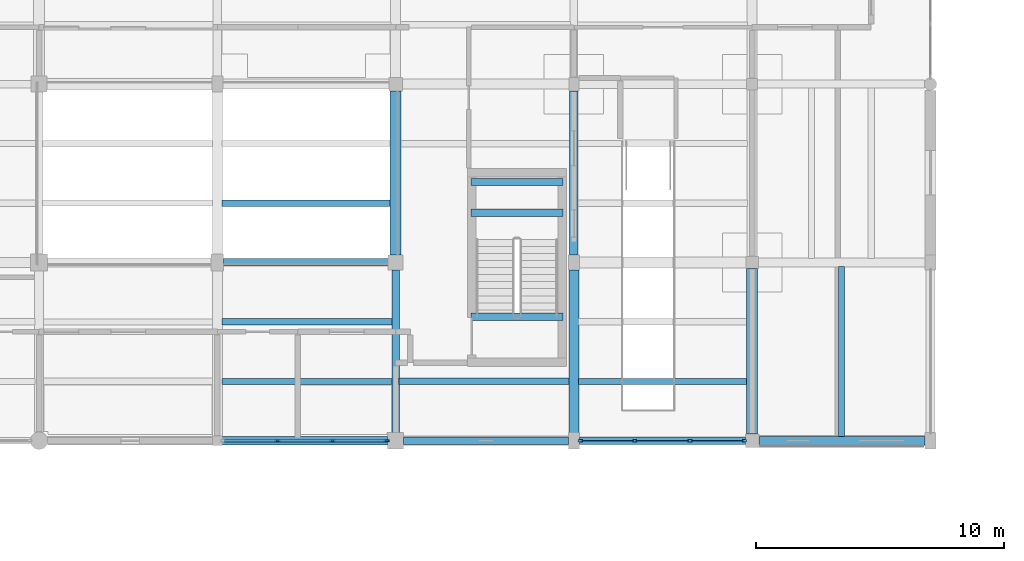
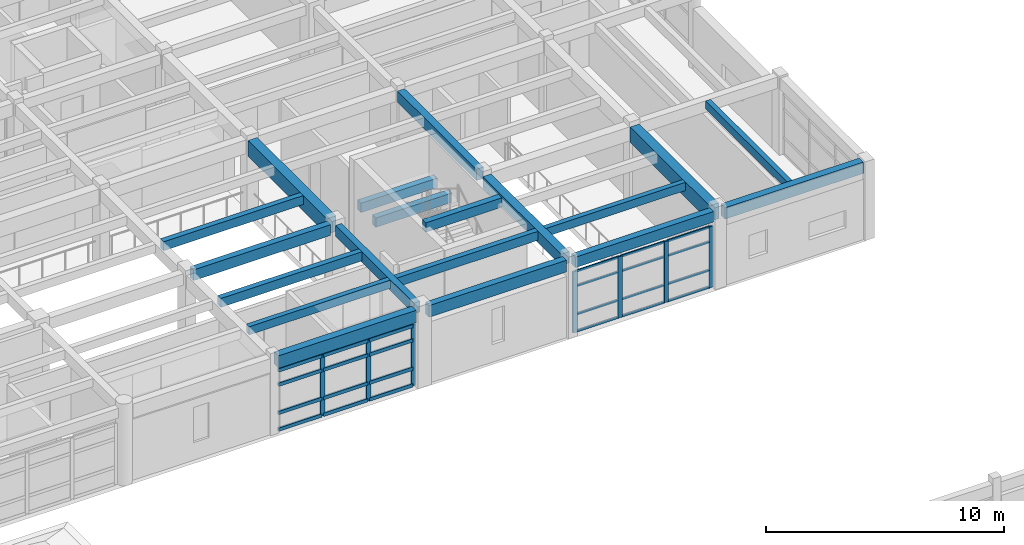
# One storey, part 47 of 110: 31 members, 19 beams, 2 elements without a shape of their own.
"""IFC4 building model written with IfcOpenShell, lengths in metres."""

import ifcopenshell
import ifcopenshell.guid

model = None  # the IFC model being written
_history = None  # IfcOwnerHistory: only IFC2X3 demands one
_inside = {}  # id of a spatial element -> (the spatial element, [elements in it])
_under = {}  # id of a project, library or spatial element -> (it, [spatial elements below it])
_declared = {}  # id of a project -> (the project, [libraries it declares])
_typed = {}  # id of a type object -> (the type object, [elements of that type])
_made_of = {}  # id of a material, layer set ... -> (it, [elements and type objects made of it])


def new_model(schema):
    """Start an empty IFC model of exactly this schema.

    Asked for "IFC4X3", IfcOpenShell would pick the latest addendum, in which some entities
    have other attributes; the version numbers below select the first issue.
    IFC2X3 requires an IfcOwnerHistory on every rooted entity: one is made here for all.
    """
    global model, _history
    if schema == "IFC4X3":
        model = ifcopenshell.file(schema_version=(4, 3, 0, 0))
    else:
        model = ifcopenshell.file(schema=schema)
    _inside.clear()
    _under.clear()
    _declared.clear()
    _typed.clear()
    _made_of.clear()
    _history = None
    if model.schema == "IFC2X3":
        org = make("IfcOrganization", Name="unknown")
        user = make(
            "IfcPersonAndOrganization",
            ThePerson=make("IfcPerson", FamilyName="unknown"),
            TheOrganization=org,
        )
        app = make(
            "IfcApplication",
            ApplicationDeveloper=org,
            Version="unknown",
            ApplicationFullName="unknown",
            ApplicationIdentifier="unknown",
        )
        _history = make(
            "IfcOwnerHistory",
            OwningUser=user,
            OwningApplication=app,
            ChangeAction="ADDED",
            CreationDate=0,
        )
    return model


def make(cls, **values):
    """One entity of the class cls with the attributes given. An attribute that is None is left unset."""
    return model.create_entity(
        cls, **{name: value for name, value in values.items() if value is not None}
    )


def rooted(cls, **values):
    """An entity with a GlobalId (a new one), such as an element, a storey or a relation."""
    return make(cls, GlobalId=ifcopenshell.guid.new(), OwnerHistory=_history, **values)


def si_unit(unit_type, name, prefix=None):
    """IfcSIUnit, for example si_unit("LENGTHUNIT", "METRE", prefix="MILLI")."""
    return make("IfcSIUnit", UnitType=unit_type, Prefix=prefix, Name=name)


def assignment(units):
    """IfcUnitAssignment: the units of a project."""
    return None if units is None else make("IfcUnitAssignment", Units=units)


def point(xyz):
    """IfcCartesianPoint."""
    return None if xyz is None else make("IfcCartesianPoint", Coordinates=xyz)


def direction(xyz):
    """IfcDirection."""
    return None if xyz is None else make("IfcDirection", DirectionRatios=xyz)


def frame(location, z_axis=None, x_axis=None):
    """IfcAxis2Placement3D, a coordinate frame: its origin and axes. An axis left out is left unset."""
    return make(
        "IfcAxis2Placement3D",
        Location=point(location),
        Axis=direction(z_axis),
        RefDirection=direction(x_axis),
    )


def frame_2d(location, x_axis=None):
    """IfcAxis2Placement2D, a coordinate frame in the plane: its origin and x axis."""
    return make(
        "IfcAxis2Placement2D", Location=point(location), RefDirection=direction(x_axis)
    )


def origin():
    """The frame at (0, 0, 0) with its axes left unset."""
    return frame((0.0, 0.0, 0.0))


def origin_2d():
    """The frame at (0, 0) in the plane with its x axis left unset."""
    return frame_2d((0.0, 0.0))


def place(relative_to, where):
    """IfcLocalPlacement: puts the frame where relative to a parent placement (None: the world)."""
    return make(
        "IfcLocalPlacement", PlacementRelTo=relative_to, RelativePlacement=where
    )


def context(
    kind, dimensions, precision=None, world=None, true_north=None, identifier=None
):
    """IfcGeometricRepresentationContext, for example the 3D "Model" context."""
    return make(
        "IfcGeometricRepresentationContext",
        ContextIdentifier=identifier,
        ContextType=kind,
        CoordinateSpaceDimension=dimensions,
        Precision=precision,
        WorldCoordinateSystem=world,
        TrueNorth=true_north,
    )


def subcontext(parent, identifier, kind, view, scale=None):
    """IfcGeometricRepresentationSubContext, for example "Body" below "Model"."""
    return make(
        "IfcGeometricRepresentationSubContext",
        ContextIdentifier=identifier,
        ContextType=kind,
        ParentContext=parent,
        TargetScale=scale,
        TargetView=view,
    )


def project(units=None, contexts=None):
    """IfcProject with its units and contexts."""
    return rooted(
        "IfcProject",
        Name="project",
        RepresentationContexts=contexts,
        UnitsInContext=assignment(units),
    )


def spatial(cls, under=None, at=None, **own):
    """A site, building, storey or space (cls), placed at a placement, below another one or the project."""
    s = rooted(cls, ObjectPlacement=at, **own)
    if under is not None:
        _under.setdefault(under.id(), (under, []))[1].append(s)
    return s


def profile(cls, at=None, kind="AREA", **sizes):
    """A parametric profile (cls). Its sizes go by their IFC names, for example OverallWidth=200.0."""
    return make(cls, ProfileType=kind, Position=at, **sizes)


def rectangle(**sizes):
    """IfcRectangleProfileDef."""
    return profile("IfcRectangleProfileDef", **sizes)


def extrude(swept, where, along, depth):
    """IfcExtrudedAreaSolid: the profile swept, set in the frame where, extruded along a direction by depth."""
    return make(
        "IfcExtrudedAreaSolid",
        SweptArea=swept,
        Position=where,
        ExtrudedDirection=direction(along),
        Depth=depth,
    )


def shape(context_of_items, identifier, shape_type, items):
    """IfcShapeRepresentation: the items that make up one representation, for example the "Body"."""
    return make(
        "IfcShapeRepresentation",
        ContextOfItems=context_of_items,
        RepresentationIdentifier=identifier,
        RepresentationType=shape_type,
        Items=items,
    )


def material(Name=None, Category=None):
    """IfcMaterial."""
    return make("IfcMaterial", Name=Name, Category=Category)


def material_profile(
    of_material, cross_section, Name=None, Category=None, Priority=None
):
    """IfcMaterialProfile: a cross section and its material."""
    return make(
        "IfcMaterialProfile",
        Name=Name,
        Material=of_material,
        Profile=cross_section,
        Priority=Priority,
        Category=Category,
    )


def profile_set(profiles, Name=None, composite=None):
    """IfcMaterialProfileSet."""
    return make(
        "IfcMaterialProfileSet",
        Name=Name,
        MaterialProfiles=profiles,
        CompositeProfile=composite,
    )


def made_of(thing, what):
    """Note that an element or type object is made of a material, layer set ...; save() writes the relation."""
    if what is not None:
        _made_of.setdefault(what.id(), (what, []))[1].append(thing)
    return thing


def type_object(cls, material=None, **own):
    """A type object (cls), such as IfcWallType, which elements share."""
    return made_of(rooted(cls, **own), material)


def element(
    cls,
    number,
    at=None,
    inside=None,
    cuts=None,
    type_object=None,
    material=None,
    context=None,
    identifier="Body",
    shape_type=None,
    held_by="IfcProductDefinitionShape",
    body=None,
    shapes=None,
    **own,
):
    """One element of the class cls, such as IfcWall. Its Tag is "e" and its number.

    at: its placement. inside: the storey or other place that contains it. cuts: it is an
    opening in that element (IfcRelVoidsElement). A single representation is given by context,
    identifier, shape_type and body (its items); several are given by shapes. held_by: the class
    of the entity that holds the representations. save() writes the other relations.
    """
    e = rooted(cls, Tag="e%d" % number, ObjectPlacement=at, **own)
    if body is not None:
        shapes = [shape(context, identifier, shape_type, body)]
    if shapes is not None:
        e.Representation = make(held_by, Representations=shapes)
    if inside is not None:
        _inside.setdefault(inside.id(), (inside, []))[1].append(e)
    if cuts is not None:
        rooted(
            "IfcRelVoidsElement", RelatingBuildingElement=cuts, RelatedOpeningElement=e
        )
    if type_object is not None:
        _typed.setdefault(type_object.id(), (type_object, []))[1].append(e)
    return made_of(e, material)


def aggregate(whole, parts):
    """IfcRelAggregates: a whole, such as a stair, and the parts it consists of."""
    return rooted("IfcRelAggregates", RelatingObject=whole, RelatedObjects=parts)


def save(model, path):
    """Write the relations noted so far, then the file.

    IfcRelAggregates (storeys below a building ...), IfcRelContainedInSpatialStructure (elements
    in a storey), IfcRelDefinesByType, IfcRelAssociatesMaterial and IfcRelDeclares: one each for
    every whole, place, type object, material and project.
    """
    for whole, parts in _under.values():
        aggregate(whole, parts)
    for where, things in _inside.values():
        rooted(
            "IfcRelContainedInSpatialStructure",
            RelatedElements=things,
            RelatingStructure=where,
        )
    for kind, things in _typed.values():
        rooted("IfcRelDefinesByType", RelatedObjects=things, RelatingType=kind)
    for what, things in _made_of.values():
        rooted("IfcRelAssociatesMaterial", RelatedObjects=things, RelatingMaterial=what)
    for by, libraries in _declared.values():
        rooted("IfcRelDeclares", RelatingContext=by, RelatedDefinitions=libraries)
    model.write(path)


model = new_model("IFC4")

# Units and contexts
model_context = context("Model", 3, precision=1e-05, world=origin(), true_north=direction((0.0, 1.0)))
body_context = subcontext(model_context, "Body", "Model", "MODEL_VIEW")
ifc_project = project(units=[si_unit("LENGTHUNIT", "METRE"), si_unit("AREAUNIT", "SQUARE_METRE"), si_unit("VOLUMEUNIT", "CUBIC_METRE"), si_unit("PLANEANGLEUNIT", "RADIAN"), si_unit("MASSUNIT", "GRAM", prefix="KILO")], contexts=[model_context])

# Site, building, storey
site_placement = place(None, origin())
site = spatial("IfcSite", under=ifc_project, at=site_placement, CompositionType="ELEMENT")
building_placement = place(site_placement, origin())
building = spatial("IfcBuilding", under=site, at=building_placement, Name="Steenspoor Specialist Clinic", CompositionType="ELEMENT")
storey_placement = place(building_placement, frame((0.0, 0.0, 4.800048828125)))
storey = spatial("IfcBuildingStorey", under=building, at=storey_placement, Name="L01", CompositionType="ELEMENT", Elevation=4.800048828125)

# Beams
ifc_material_1 = material(Name="Concrete C35/45", Category="concrete")
ifc_material_profile_1 = material_profile(ifc_material_1, rectangle(XDim=0.300048828125, YDim=0.47998046875, at=origin_2d()), Name="RC-BM-300X480")
ifc_profile_set_1 = profile_set([ifc_material_profile_1], Name="Concrete C35/45")
beam_type_1 = type_object("IfcBeamType", Name="BM-RC-300X480", PredefinedType="BEAM", material=ifc_profile_set_1)
for number, where, z_axis, x_axis, name in (
    (1, (142.64990234375, 74.35009765625, 1.659912109375), (1.0, 0.0, 0.0), (0.0, 1.0, 0.0), "Stair Mid-Landing Bearer 1 ST-V6B L01"),
    (2, (142.64990234375, 75.60009765625, 1.659912109375), (1.0, 0.0, 0.0), (0.0, 1.0, 0.0), "Stair Mid-Landing Bearer 2 ST-V6B L01"),
    (3, (142.64990234375, 70.14990234375, 3.9599609375), (1.0, 0.0, 0.0), (0.0, 1.0, 0.0), "Stair Well Trimmer Beam ST-V6B L01"),
):
    element("IfcBeam", number, at=place(storey_placement, frame(where, z_axis=z_axis, x_axis=x_axis)), inside=storey, type_object=beam_type_1, Name=name, PredefinedType="BEAM", context=body_context, shape_type="SweptSolid", body=[
        extrude(rectangle(XDim=0.300048828125, YDim=0.47998046875, at=origin_2d()), origin(), (0.0, 0.0, 1.0), 3.7001953125),
    ])
ifc_material_profile_2 = material_profile(ifc_material_1, rectangle(XDim=0.300048828125, YDim=0.550048828125, at=origin_2d()), Name="RC-BM-300X550")
ifc_profile_set_2 = profile_set([ifc_material_profile_2], Name="Concrete C35/45")
beam_type_2 = type_object("IfcBeamType", Name="BM-RC-300X550", PredefinedType="BEAM", material=ifc_profile_set_2)
beam_1_placement = place(storey_placement, frame((132.64501953125, 72.35009765625, 3.675048828125), z_axis=(1.0, 0.0, 0.0), x_axis=(0.0, 1.0, 0.0)))
element("IfcBeam", 4, at=beam_1_placement, inside=storey, type_object=beam_type_2, Name="BM-V6-L01-X1486", PredefinedType="BEAM", context=body_context, shape_type="SweptSolid", body=[
    extrude(rectangle(XDim=0.300048828125, YDim=0.550048828125, at=origin_2d()), origin(), (0.0, 0.0, 1.0), 6.659912109375),
])
beam_2_placement = place(storey_placement, frame((139.60009765625, 65.469970703125, 3.675048828125), z_axis=(0.0, 1.0, 0.0), x_axis=(-1.0, 0.0, 0.0)))
element("IfcBeam", 5, at=beam_2_placement, inside=storey, type_object=beam_type_2, Name="BM-V6-L01-Y1528", PredefinedType="BEAM", context=body_context, shape_type="SweptSolid", body=[
    extrude(rectangle(XDim=0.300048828125, YDim=0.550048828125, at=origin_2d()), origin(), (0.0, 0.0, 1.0), 6.5849609375),
])
ifc_material_profile_3 = material_profile(ifc_material_1, rectangle(XDim=0.35009765625, YDim=0.580078125, at=origin_2d()), Name="RC-BM-350X580")
ifc_profile_set_3 = profile_set([ifc_material_profile_3], Name="Concrete C35/45")
beam_type_3 = type_object("IfcBeamType", Name="BM-RC-350X580", PredefinedType="BEAM", material=ifc_profile_set_3)
beam_3_placement = place(storey_placement, frame((146.800048828125, 72.64501953125, 3.659912109375), z_axis=(0.0, 1.0, 0.0), x_axis=(-1.0, 0.0, 0.0)))
element("IfcBeam", 6, at=beam_3_placement, inside=storey, type_object=beam_type_3, Name="BM-V6-L01-Y1535", PredefinedType="BEAM", context=body_context, shape_type="SweptSolid", body=[
    extrude(rectangle(XDim=0.35009765625, YDim=0.580078125, at=origin_2d()), origin(), (0.0, 0.0, 1.0), 6.635009765625),
])
beam_4_placement = place(storey_placement, frame((154.27001953125, 65.14990234375, 3.659912109375), z_axis=(1.0, 0.0, 0.0), x_axis=(0.0, 1.0, 0.0)))
element("IfcBeam", 7, at=beam_4_placement, inside=storey, type_object=beam_type_3, Name="BM-V6-L01-X1595", PredefinedType="BEAM", context=body_context, shape_type="SweptSolid", body=[
    extrude(rectangle(XDim=0.35009765625, YDim=0.580078125, at=origin_2d()), origin(), (0.0, 0.0, 1.0), 6.7099609375),
])
ifc_material_profile_4 = material_profile(ifc_material_1, rectangle(XDim=0.39990234375, YDim=0.580078125, at=origin_2d()), Name="RC-BM-400X580")
ifc_profile_set_4 = profile_set([ifc_material_profile_4], Name="Concrete C35/45")
beam_type_4 = type_object("IfcBeamType", Name="BM-RC-400X580", PredefinedType="BEAM", material=ifc_profile_set_4)
beam_5_placement = place(storey_placement, frame((146.800048828125, 65.469970703125, 3.659912109375), z_axis=(0.0, 1.0, 0.0), x_axis=(-1.0, 0.0, 0.0)))
element("IfcBeam", 8, at=beam_5_placement, inside=storey, type_object=beam_type_4, Name="BM-V6-L01-Y1534", PredefinedType="BEAM", context=body_context, shape_type="SweptSolid", body=[
    extrude(rectangle(XDim=0.39990234375, YDim=0.580078125, at=origin_2d()), origin(), (0.0, 0.0, 1.0), 6.5849609375),
])
ifc_material_profile_5 = material_profile(ifc_material_1, rectangle(XDim=0.449951171875, YDim=0.800048828125, at=origin_2d()), Name="RC-BM-450X800")
ifc_profile_set_5 = profile_set([ifc_material_profile_5], Name="Concrete C35/45")
beam_type_5 = type_object("IfcBeamType", Name="BM-RC-450X800", PredefinedType="BEAM", material=ifc_profile_set_5)
beam_6_placement = place(storey_placement, frame((139.60009765625, 72.64501953125, 3.550048828125), z_axis=(0.0, 1.0, 0.0), x_axis=(-1.0, 0.0, 0.0)))
element("IfcBeam", 9, at=beam_6_placement, inside=storey, type_object=beam_type_5, Name="BM-V6-L01-Y1529", PredefinedType="BEAM", context=body_context, shape_type="SweptSolid", body=[
    extrude(rectangle(XDim=0.449951171875, YDim=0.800048828125, at=origin_2d()), origin(), (0.0, 0.0, 1.0), 6.635009765625),
])
beam_7_placement = place(storey_placement, frame((154.0, 65.419921875, 3.550048828125), z_axis=(0.0, 1.0, 0.0), x_axis=(-1.0, 0.0, 0.0)))
element("IfcBeam", 10, at=beam_7_placement, inside=storey, type_object=beam_type_5, Name="BM-V6-L01-Y1540", PredefinedType="BEAM", context=body_context, shape_type="SweptSolid", body=[
    extrude(rectangle(XDim=0.449951171875, YDim=0.800048828125, at=origin_2d()), origin(), (0.0, 0.0, 1.0), 6.68505859375),
])

# Curtain wall, members
ifc_material_2 = material(Name="Thermally broken aluminium and low-emissivity glass", Category="aluminium")
curtain_wall_type_1 = type_object("IfcCurtainWallType", Name="CW-L00-480X415", PredefinedType="USERDEFINED", material=ifc_material_2)
curtain_wall_1_placement = place(storey_placement, origin())
curtain_wall_1 = element("IfcCurtainWall", 11, at=curtain_wall_1_placement, inside=storey, type_object=curtain_wall_type_1, Name="Unitised Curtain Wall CW-V6-L01-174", ObjectType="UNITISED GLAZING", PredefinedType="USERDEFINED")
ifc_material_3 = material(Name="Thermally broken aluminium 6063-T6", Category="aluminium")
ifc_material_profile_6 = material_profile(ifc_material_3, rectangle(XDim=0.080078125, YDim=0.219970703125, at=origin_2d()), Name="CWM-80X220")
ifc_profile_set_6 = profile_set([ifc_material_profile_6], Name="Thermally broken aluminium 6063-T6")
member_type_1 = type_object("IfcMemberType", Name="CW-MULL-80X220", PredefinedType="MULLION", material=ifc_profile_set_6)
member_1_placement = place(storey_placement, frame((139.235107421875, 65.14990234375, 0.0), z_axis=(0.0, 0.0, 1.0), x_axis=(0.0, -1.0, 0.0)))
member_1 = element("IfcMember", 12, at=member_1_placement, type_object=member_type_1, Name="CW-06 mullion 1", PredefinedType="MULLION", context=body_context, shape_type="SweptSolid", body=[
    extrude(rectangle(XDim=0.080078125, YDim=0.219970703125, at=origin_2d()), origin(), (0.0, 0.0, 1.0), 3.1298828125),
])
member_2_placement = place(storey_placement, frame((137.050048828125, 65.14990234375, 0.0), z_axis=(0.0, 0.0, 1.0), x_axis=(0.0, -1.0, 0.0)))
member_2 = element("IfcMember", 13, at=member_2_placement, type_object=member_type_1, Name="CW-06 mullion 2", PredefinedType="MULLION", context=body_context, shape_type="SweptSolid", body=[
    extrude(rectangle(XDim=0.080078125, YDim=0.219970703125, at=origin_2d()), origin(), (0.0, 0.0, 1.0), 3.1298828125),
])
member_3_placement = place(storey_placement, frame((134.824951171875, 65.14990234375, 0.0), z_axis=(0.0, 0.0, 1.0), x_axis=(0.0, -1.0, 0.0)))
member_3 = element("IfcMember", 14, at=member_3_placement, type_object=member_type_1, Name="CW-06 mullion 3", PredefinedType="MULLION", context=body_context, shape_type="SweptSolid", body=[
    extrude(rectangle(XDim=0.080078125, YDim=0.219970703125, at=origin_2d()), origin(), (0.0, 0.0, 1.0), 3.1298828125),
])

curtain_wall_type_2 = type_object("IfcCurtainWallType", Name="CW-L00-650X415", PredefinedType="USERDEFINED", material=ifc_material_2)
curtain_wall_2_placement = place(storey_placement, origin())
curtain_wall_2 = element("IfcCurtainWall", 15, at=curtain_wall_2_placement, inside=storey, type_object=curtain_wall_type_2, Name="Unitised Curtain Wall CW-V6-L01-173", ObjectType="UNITISED GLAZING", PredefinedType="USERDEFINED")
ifc_material_profile_7 = material_profile(ifc_material_3, rectangle(XDim=0.090087890625, YDim=0.199951171875, at=origin_2d()), Name="CWM-90X200")
ifc_profile_set_7 = profile_set([ifc_material_profile_7], Name="Thermally broken aluminium 6063-T6")
member_type_2 = type_object("IfcMemberType", Name="CW-MULL-90X200", PredefinedType="MULLION", material=ifc_profile_set_7)
member_4_placement = place(storey_placement, frame((153.679931640625, 65.14990234375, 0.0), z_axis=(0.0, 0.0, 1.0), x_axis=(0.0, -1.0, 0.0)))
member_4 = element("IfcMember", 16, at=member_4_placement, type_object=member_type_2, Name="CW-05 mullion 1", PredefinedType="MULLION", context=body_context, shape_type="SweptSolid", body=[
    extrude(rectangle(XDim=0.090087890625, YDim=0.199951171875, at=origin_2d()), origin(), (0.0, 0.0, 1.0), 3.1298828125),
])
member_5_placement = place(storey_placement, frame((151.49169921875, 65.14990234375, 0.0), z_axis=(0.0, 0.0, 1.0), x_axis=(0.0, -1.0, 0.0)))
member_5 = element("IfcMember", 17, at=member_5_placement, type_object=member_type_2, Name="CW-05 mullion 2", PredefinedType="MULLION", context=body_context, shape_type="SweptSolid", body=[
    extrude(rectangle(XDim=0.090087890625, YDim=0.199951171875, at=origin_2d()), origin(), (0.0, 0.0, 1.0), 3.1298828125),
])
member_6_placement = place(storey_placement, frame((149.25830078125, 65.14990234375, 0.0), z_axis=(0.0, 0.0, 1.0), x_axis=(0.0, -1.0, 0.0)))
member_6 = element("IfcMember", 18, at=member_6_placement, type_object=member_type_2, Name="CW-05 mullion 3", PredefinedType="MULLION", context=body_context, shape_type="SweptSolid", body=[
    extrude(rectangle(XDim=0.090087890625, YDim=0.199951171875, at=origin_2d()), origin(), (0.0, 0.0, 1.0), 3.1298828125),
])
member_7_placement = place(storey_placement, frame((147.070068359375, 65.14990234375, 0.0), z_axis=(0.0, 0.0, 1.0), x_axis=(0.0, -1.0, 0.0)))
member_7 = element("IfcMember", 19, at=member_7_placement, type_object=member_type_2, Name="CW-05 mullion 4", PredefinedType="MULLION", context=body_context, shape_type="SweptSolid", body=[
    extrude(rectangle(XDim=0.090087890625, YDim=0.199951171875, at=origin_2d()), origin(), (0.0, 0.0, 1.0), 3.1298828125),
])
ifc_material_profile_8 = material_profile(ifc_material_3, rectangle(XDim=0.06005859375, YDim=0.114990234375, at=origin_2d()), Name="CWT-60X115")
ifc_profile_set_8 = profile_set([ifc_material_profile_8], Name="Thermally broken aluminium 6063-T6")
member_type_3 = type_object("IfcMemberType", Name="CW-TRAN-60X115", PredefinedType="USERDEFINED", material=ifc_profile_set_8)
member_8_placement = place(storey_placement, frame((153.635009765625, 65.14990234375, 0.030029296875), z_axis=(-1.0, 0.0, 0.0), x_axis=(0.0, -1.0, 0.0)))
member_8 = element("IfcMember", 20, at=member_8_placement, type_object=member_type_3, Name="CW-05 transom 1.1", ObjectType="TRANSOM", PredefinedType="USERDEFINED", context=body_context, shape_type="SweptSolid", body=[
    extrude(rectangle(XDim=0.06005859375, YDim=0.114990234375, at=origin_2d()), origin(), (0.0, 0.0, 1.0), 2.098388671875),
])
member_9_placement = place(storey_placement, frame((153.635009765625, 65.14990234375, 0.89990234375), z_axis=(-1.0, 0.0, 0.0), x_axis=(0.0, -1.0, 0.0)))
member_9 = element("IfcMember", 21, at=member_9_placement, type_object=member_type_3, Name="CW-05 transom 1.2", ObjectType="TRANSOM", PredefinedType="USERDEFINED", context=body_context, shape_type="SweptSolid", body=[
    extrude(rectangle(XDim=0.06005859375, YDim=0.114990234375, at=origin_2d()), origin(), (0.0, 0.0, 1.0), 2.098388671875),
])
member_10_placement = place(storey_placement, frame((153.635009765625, 65.14990234375, 2.349853515625), z_axis=(-1.0, 0.0, 0.0), x_axis=(0.0, -1.0, 0.0)))
member_10 = element("IfcMember", 22, at=member_10_placement, type_object=member_type_3, Name="CW-05 transom 1.3", ObjectType="TRANSOM", PredefinedType="USERDEFINED", context=body_context, shape_type="SweptSolid", body=[
    extrude(rectangle(XDim=0.06005859375, YDim=0.114990234375, at=origin_2d()), origin(), (0.0, 0.0, 1.0), 2.098388671875),
])
member_11_placement = place(storey_placement, frame((153.635009765625, 65.14990234375, 3.099853515625), z_axis=(-1.0, 0.0, 0.0), x_axis=(0.0, -1.0, 0.0)))
member_11 = element("IfcMember", 23, at=member_11_placement, type_object=member_type_3, Name="CW-05 transom 1.4", ObjectType="TRANSOM", PredefinedType="USERDEFINED", context=body_context, shape_type="SweptSolid", body=[
    extrude(rectangle(XDim=0.06005859375, YDim=0.114990234375, at=origin_2d()), origin(), (0.0, 0.0, 1.0), 2.098388671875),
])
member_12_placement = place(storey_placement, frame((151.44677734375, 65.14990234375, 0.030029296875), z_axis=(-1.0, 0.0, 0.0), x_axis=(0.0, -1.0, 0.0)))
member_12 = element("IfcMember", 24, at=member_12_placement, type_object=member_type_3, Name="CW-05 transom 2.1", ObjectType="TRANSOM", PredefinedType="USERDEFINED", context=body_context, shape_type="SweptSolid", body=[
    extrude(rectangle(XDim=0.06005859375, YDim=0.114990234375, at=origin_2d()), origin(), (0.0, 0.0, 1.0), 2.1435546875),
])
member_13_placement = place(storey_placement, frame((151.44677734375, 65.14990234375, 0.89990234375), z_axis=(-1.0, 0.0, 0.0), x_axis=(0.0, -1.0, 0.0)))
member_13 = element("IfcMember", 25, at=member_13_placement, type_object=member_type_3, Name="CW-05 transom 2.2", ObjectType="TRANSOM", PredefinedType="USERDEFINED", context=body_context, shape_type="SweptSolid", body=[
    extrude(rectangle(XDim=0.06005859375, YDim=0.114990234375, at=origin_2d()), origin(), (0.0, 0.0, 1.0), 2.1435546875),
])
member_14_placement = place(storey_placement, frame((151.44677734375, 65.14990234375, 2.349853515625), z_axis=(-1.0, 0.0, 0.0), x_axis=(0.0, -1.0, 0.0)))
member_14 = element("IfcMember", 26, at=member_14_placement, type_object=member_type_3, Name="CW-05 transom 2.3", ObjectType="TRANSOM", PredefinedType="USERDEFINED", context=body_context, shape_type="SweptSolid", body=[
    extrude(rectangle(XDim=0.06005859375, YDim=0.114990234375, at=origin_2d()), origin(), (0.0, 0.0, 1.0), 2.1435546875),
])
member_15_placement = place(storey_placement, frame((151.44677734375, 65.14990234375, 3.099853515625), z_axis=(-1.0, 0.0, 0.0), x_axis=(0.0, -1.0, 0.0)))
member_15 = element("IfcMember", 27, at=member_15_placement, type_object=member_type_3, Name="CW-05 transom 2.4", ObjectType="TRANSOM", PredefinedType="USERDEFINED", context=body_context, shape_type="SweptSolid", body=[
    extrude(rectangle(XDim=0.06005859375, YDim=0.114990234375, at=origin_2d()), origin(), (0.0, 0.0, 1.0), 2.1435546875),
])
member_16_placement = place(storey_placement, frame((149.21337890625, 65.14990234375, 0.030029296875), z_axis=(-1.0, 0.0, 0.0), x_axis=(0.0, -1.0, 0.0)))
member_16 = element("IfcMember", 28, at=member_16_placement, type_object=member_type_3, Name="CW-05 transom 3.1", ObjectType="TRANSOM", PredefinedType="USERDEFINED", context=body_context, shape_type="SweptSolid", body=[
    extrude(rectangle(XDim=0.06005859375, YDim=0.114990234375, at=origin_2d()), origin(), (0.0, 0.0, 1.0), 2.098388671875),
])
member_17_placement = place(storey_placement, frame((149.21337890625, 65.14990234375, 0.89990234375), z_axis=(-1.0, 0.0, 0.0), x_axis=(0.0, -1.0, 0.0)))
member_17 = element("IfcMember", 29, at=member_17_placement, type_object=member_type_3, Name="CW-05 transom 3.2", ObjectType="TRANSOM", PredefinedType="USERDEFINED", context=body_context, shape_type="SweptSolid", body=[
    extrude(rectangle(XDim=0.06005859375, YDim=0.114990234375, at=origin_2d()), origin(), (0.0, 0.0, 1.0), 2.098388671875),
])
member_18_placement = place(storey_placement, frame((149.21337890625, 65.14990234375, 2.349853515625), z_axis=(-1.0, 0.0, 0.0), x_axis=(0.0, -1.0, 0.0)))
member_18 = element("IfcMember", 30, at=member_18_placement, type_object=member_type_3, Name="CW-05 transom 3.3", ObjectType="TRANSOM", PredefinedType="USERDEFINED", context=body_context, shape_type="SweptSolid", body=[
    extrude(rectangle(XDim=0.06005859375, YDim=0.114990234375, at=origin_2d()), origin(), (0.0, 0.0, 1.0), 2.098388671875),
])
member_19_placement = place(storey_placement, frame((149.21337890625, 65.14990234375, 3.099853515625), z_axis=(-1.0, 0.0, 0.0), x_axis=(0.0, -1.0, 0.0)))
member_19 = element("IfcMember", 31, at=member_19_placement, type_object=member_type_3, Name="CW-05 transom 3.4", ObjectType="TRANSOM", PredefinedType="USERDEFINED", context=body_context, shape_type="SweptSolid", body=[
    extrude(rectangle(XDim=0.06005859375, YDim=0.114990234375, at=origin_2d()), origin(), (0.0, 0.0, 1.0), 2.098388671875),
])
aggregate(curtain_wall_2, [member_4, member_5, member_6, member_7, member_8, member_9, member_10, member_11, member_12, member_13, member_14, member_15, member_16, member_17, member_18, member_19])

# Member
ifc_material_profile_9 = material_profile(ifc_material_3, rectangle(XDim=0.090087890625, YDim=0.175048828125, at=origin_2d()), Name="CWT-90X175")
ifc_profile_set_9 = profile_set([ifc_material_profile_9], Name="Thermally broken aluminium 6063-T6")
member_type_4 = type_object("IfcMemberType", Name="CW-TRAN-90X175", PredefinedType="USERDEFINED", material=ifc_profile_set_9)
member_20_placement = place(storey_placement, frame((139.195068359375, 65.14990234375, 0.044921875), z_axis=(-1.0, 0.0, 0.0), x_axis=(0.0, -1.0, 0.0)))
member_20 = element("IfcMember", 32, at=member_20_placement, type_object=member_type_4, Name="CW-06 transom 1.1", ObjectType="TRANSOM", PredefinedType="USERDEFINED", context=body_context, shape_type="SweptSolid", body=[
    extrude(rectangle(XDim=0.090087890625, YDim=0.175048828125, at=origin_2d()), origin(), (0.0, 0.0, 1.0), 2.10498046875),
])

member_21_placement = place(storey_placement, frame((139.195068359375, 65.14990234375, 0.89990234375), z_axis=(-1.0, 0.0, 0.0), x_axis=(0.0, -1.0, 0.0)))
member_21 = element("IfcMember", 33, at=member_21_placement, type_object=member_type_4, Name="CW-06 transom 1.2", ObjectType="TRANSOM", PredefinedType="USERDEFINED", context=body_context, shape_type="SweptSolid", body=[
    extrude(rectangle(XDim=0.090087890625, YDim=0.175048828125, at=origin_2d()), origin(), (0.0, 0.0, 1.0), 2.10498046875),
])

member_22_placement = place(storey_placement, frame((139.195068359375, 65.14990234375, 2.349853515625), z_axis=(-1.0, 0.0, 0.0), x_axis=(0.0, -1.0, 0.0)))
member_22 = element("IfcMember", 34, at=member_22_placement, type_object=member_type_4, Name="CW-06 transom 1.3", ObjectType="TRANSOM", PredefinedType="USERDEFINED", context=body_context, shape_type="SweptSolid", body=[
    extrude(rectangle(XDim=0.090087890625, YDim=0.175048828125, at=origin_2d()), origin(), (0.0, 0.0, 1.0), 2.10498046875),
])

member_23_placement = place(storey_placement, frame((139.195068359375, 65.14990234375, 3.0849609375), z_axis=(-1.0, 0.0, 0.0), x_axis=(0.0, -1.0, 0.0)))
member_23 = element("IfcMember", 35, at=member_23_placement, type_object=member_type_4, Name="CW-06 transom 1.4", ObjectType="TRANSOM", PredefinedType="USERDEFINED", context=body_context, shape_type="SweptSolid", body=[
    extrude(rectangle(XDim=0.090087890625, YDim=0.175048828125, at=origin_2d()), origin(), (0.0, 0.0, 1.0), 2.10498046875),
])

member_24_placement = place(storey_placement, frame((137.010009765625, 65.14990234375, 0.044921875), z_axis=(-1.0, 0.0, 0.0), x_axis=(0.0, -1.0, 0.0)))
member_24 = element("IfcMember", 36, at=member_24_placement, type_object=member_type_4, Name="CW-06 transom 2.1", ObjectType="TRANSOM", PredefinedType="USERDEFINED", context=body_context, shape_type="SweptSolid", body=[
    extrude(rectangle(XDim=0.090087890625, YDim=0.175048828125, at=origin_2d()), origin(), (0.0, 0.0, 1.0), 2.14501953125),
])

member_25_placement = place(storey_placement, frame((137.010009765625, 65.14990234375, 0.89990234375), z_axis=(-1.0, 0.0, 0.0), x_axis=(0.0, -1.0, 0.0)))
member_25 = element("IfcMember", 37, at=member_25_placement, type_object=member_type_4, Name="CW-06 transom 2.2", ObjectType="TRANSOM", PredefinedType="USERDEFINED", context=body_context, shape_type="SweptSolid", body=[
    extrude(rectangle(XDim=0.090087890625, YDim=0.175048828125, at=origin_2d()), origin(), (0.0, 0.0, 1.0), 2.14501953125),
])

member_26_placement = place(storey_placement, frame((137.010009765625, 65.14990234375, 2.349853515625), z_axis=(-1.0, 0.0, 0.0), x_axis=(0.0, -1.0, 0.0)))
member_26 = element("IfcMember", 38, at=member_26_placement, type_object=member_type_4, Name="CW-06 transom 2.3", ObjectType="TRANSOM", PredefinedType="USERDEFINED", context=body_context, shape_type="SweptSolid", body=[
    extrude(rectangle(XDim=0.090087890625, YDim=0.175048828125, at=origin_2d()), origin(), (0.0, 0.0, 1.0), 2.14501953125),
])

member_27_placement = place(storey_placement, frame((137.010009765625, 65.14990234375, 3.0849609375), z_axis=(-1.0, 0.0, 0.0), x_axis=(0.0, -1.0, 0.0)))
member_27 = element("IfcMember", 39, at=member_27_placement, type_object=member_type_4, Name="CW-06 transom 2.4", ObjectType="TRANSOM", PredefinedType="USERDEFINED", context=body_context, shape_type="SweptSolid", body=[
    extrude(rectangle(XDim=0.090087890625, YDim=0.175048828125, at=origin_2d()), origin(), (0.0, 0.0, 1.0), 2.14501953125),
])

member_28_placement = place(storey_placement, frame((134.784912109375, 65.14990234375, 0.044921875), z_axis=(-1.0, 0.0, 0.0), x_axis=(0.0, -1.0, 0.0)))
member_28 = element("IfcMember", 40, at=member_28_placement, type_object=member_type_4, Name="CW-06 transom 3.1", ObjectType="TRANSOM", PredefinedType="USERDEFINED", context=body_context, shape_type="SweptSolid", body=[
    extrude(rectangle(XDim=0.090087890625, YDim=0.175048828125, at=origin_2d()), origin(), (0.0, 0.0, 1.0), 2.10498046875),
])

member_29_placement = place(storey_placement, frame((134.784912109375, 65.14990234375, 0.89990234375), z_axis=(-1.0, 0.0, 0.0), x_axis=(0.0, -1.0, 0.0)))
member_29 = element("IfcMember", 41, at=member_29_placement, type_object=member_type_4, Name="CW-06 transom 3.2", ObjectType="TRANSOM", PredefinedType="USERDEFINED", context=body_context, shape_type="SweptSolid", body=[
    extrude(rectangle(XDim=0.090087890625, YDim=0.175048828125, at=origin_2d()), origin(), (0.0, 0.0, 1.0), 2.10498046875),
])

member_30_placement = place(storey_placement, frame((134.784912109375, 65.14990234375, 2.349853515625), z_axis=(-1.0, 0.0, 0.0), x_axis=(0.0, -1.0, 0.0)))
member_30 = element("IfcMember", 42, at=member_30_placement, type_object=member_type_4, Name="CW-06 transom 3.3", ObjectType="TRANSOM", PredefinedType="USERDEFINED", context=body_context, shape_type="SweptSolid", body=[
    extrude(rectangle(XDim=0.090087890625, YDim=0.175048828125, at=origin_2d()), origin(), (0.0, 0.0, 1.0), 2.10498046875),
])

member_31_placement = place(storey_placement, frame((134.784912109375, 65.14990234375, 3.0849609375), z_axis=(-1.0, 0.0, 0.0), x_axis=(0.0, -1.0, 0.0)))
member_31 = element("IfcMember", 43, at=member_31_placement, type_object=member_type_4, Name="CW-06 transom 3.4", ObjectType="TRANSOM", PredefinedType="USERDEFINED", context=body_context, shape_type="SweptSolid", body=[
    extrude(rectangle(XDim=0.090087890625, YDim=0.175048828125, at=origin_2d()), origin(), (0.0, 0.0, 1.0), 2.10498046875),
])

aggregate(curtain_wall_1, [member_1, member_2, member_3, member_20, member_21, member_22, member_23, member_24, member_25, member_26, member_27, member_28, member_29, member_30, member_31])

# Beams
ifc_material_profile_10 = material_profile(ifc_material_1, rectangle(XDim=0.239990234375, YDim=0.419921875, at=origin_2d()), Name="RC-JT-240X420")
ifc_profile_set_10 = profile_set([ifc_material_profile_10], Name="Concrete C35/45")
beam_type_6 = type_object("IfcBeamType", Name="JT-RC-240X420", PredefinedType="JOIST", material=ifc_profile_set_10)
beam_8_placement = place(storey_placement, frame((132.594970703125, 67.550048828125, 3.739990234375), z_axis=(1.0, 0.0, 0.0), x_axis=(0.0, 1.0, 0.0)))
element("IfcBeam", 44, at=beam_8_placement, inside=storey, type_object=beam_type_6, Name="JT-V6-L01-1566", PredefinedType="JOIST", context=body_context, shape_type="SweptSolid", body=[
    extrude(rectangle(XDim=0.239990234375, YDim=0.419921875, at=origin_2d()), origin(), (0.0, 0.0, 1.0), 6.860107421875),
])
beam_9_placement = place(storey_placement, frame((146.9951171875, 67.550048828125, 3.739990234375), z_axis=(1.0, 0.0, 0.0), x_axis=(0.0, 1.0, 0.0)))
element("IfcBeam", 45, at=beam_9_placement, inside=storey, type_object=beam_type_6, Name="JT-V6-L01-1587", PredefinedType="JOIST", context=body_context, shape_type="SweptSolid", body=[
    extrude(rectangle(XDim=0.239990234375, YDim=0.419921875, at=origin_2d()), origin(), (0.0, 0.0, 1.0), 6.784912109375),
])
beam_10_placement = place(storey_placement, frame((157.60009765625, 65.320068359375, 3.739990234375), z_axis=(0.0, 1.0, 0.0), x_axis=(-1.0, 0.0, 0.0)))
element("IfcBeam", 46, at=beam_10_placement, inside=storey, type_object=beam_type_6, Name="JT-V6-L01-1598", PredefinedType="JOIST", context=body_context, shape_type="SweptSolid", body=[
    extrude(rectangle(XDim=0.239990234375, YDim=0.419921875, at=origin_2d()), origin(), (0.0, 0.0, 1.0), 6.85986328125),
])
ifc_material_profile_11 = material_profile(ifc_material_1, rectangle(XDim=0.260009765625, YDim=0.4599609375, at=origin_2d()), Name="RC-JT-260X460")
ifc_profile_set_11 = profile_set([ifc_material_profile_11], Name="Concrete C35/45")
beam_type_7 = type_object("IfcBeamType", Name="JT-RC-260X460", PredefinedType="JOIST", material=ifc_profile_set_11)
beam_11_placement = place(storey_placement, frame((132.594970703125, 69.949951171875, 3.719970703125), z_axis=(1.0, 0.0, 0.0), x_axis=(0.0, 1.0, 0.0)))
element("IfcBeam", 47, at=beam_11_placement, inside=storey, type_object=beam_type_7, Name="JT-V6-L01-1567", PredefinedType="JOIST", context=body_context, shape_type="SweptSolid", body=[
    extrude(rectangle(XDim=0.260009765625, YDim=0.4599609375, at=origin_2d()), origin(), (0.0, 0.0, 1.0), 6.860107421875),
])
beam_12_placement = place(storey_placement, frame((132.594970703125, 74.75, 3.719970703125), z_axis=(1.0, 0.0, 0.0), x_axis=(0.0, 1.0, 0.0)))
element("IfcBeam", 48, at=beam_12_placement, inside=storey, type_object=beam_type_7, Name="JT-V6-L01-1568", PredefinedType="JOIST", context=body_context, shape_type="SweptSolid", body=[
    extrude(rectangle(XDim=0.260009765625, YDim=0.4599609375, at=origin_2d()), origin(), (0.0, 0.0, 1.0), 6.784912109375),
])
beam_13_placement = place(storey_placement, frame((139.7451171875, 67.550048828125, 3.719970703125), z_axis=(1.0, 0.0, 0.0), x_axis=(0.0, 1.0, 0.0)))
element("IfcBeam", 49, at=beam_13_placement, inside=storey, type_object=beam_type_7, Name="JT-V6-L01-1577", PredefinedType="JOIST", context=body_context, shape_type="SweptSolid", body=[
    extrude(rectangle(XDim=0.260009765625, YDim=0.4599609375, at=origin_2d()), origin(), (0.0, 0.0, 1.0), 6.85986328125),
])
ifc_material_profile_12 = material_profile(ifc_material_1, rectangle(XDim=0.320068359375, YDim=0.5400390625, at=origin_2d()), Name="RC-SP-320X540")
ifc_profile_set_12 = profile_set([ifc_material_profile_12], Name="Concrete C35/45")
beam_type_8 = type_object("IfcBeamType", Name="SP-RC-320X540", PredefinedType="SPANDREL", material=ifc_profile_set_12)
beam_14_placement = place(storey_placement, frame((147.02001953125, 65.14990234375, 3.679931640625), z_axis=(1.0, 0.0, 0.0), x_axis=(0.0, 1.0, 0.0)))
element("IfcBeam", 50, at=beam_14_placement, inside=storey, type_object=beam_type_8, Name="BM-V6-L01-X1483", PredefinedType="SPANDREL", context=body_context, shape_type="SweptSolid", body=[
    extrude(rectangle(XDim=0.320068359375, YDim=0.5400390625, at=origin_2d()), origin(), (0.0, 0.0, 1.0), 6.7099609375),
])
ifc_material_profile_13 = material_profile(ifc_material_1, rectangle(XDim=0.320068359375, YDim=0.60009765625, at=origin_2d()), Name="RC-SP-320X600")
ifc_profile_set_13 = profile_set([ifc_material_profile_13], Name="Concrete C35/45")
beam_type_9 = type_object("IfcBeamType", Name="SP-RC-320X600", PredefinedType="SPANDREL", material=ifc_profile_set_13)
beam_15_placement = place(storey_placement, frame((139.919921875, 65.14990234375, 3.64990234375), z_axis=(1.0, 0.0, 0.0), x_axis=(0.0, 1.0, 0.0)))
element("IfcBeam", 51, at=beam_15_placement, inside=storey, type_object=beam_type_9, Name="BM-V6-L01-X1482", PredefinedType="SPANDREL", context=body_context, shape_type="SweptSolid", body=[
    extrude(rectangle(XDim=0.320068359375, YDim=0.60009765625, at=origin_2d()), origin(), (0.0, 0.0, 1.0), 6.66015625),
])
ifc_material_profile_14 = material_profile(ifc_material_1, rectangle(XDim=0.360107421875, YDim=0.639892578125, at=origin_2d()), Name="RC-SP-360X640")
ifc_profile_set_14 = profile_set([ifc_material_profile_14], Name="Concrete C35/45")
beam_type_10 = type_object("IfcBeamType", Name="SP-RC-360X640", PredefinedType="SPANDREL", material=ifc_profile_set_14)
beam_16_placement = place(storey_placement, frame((132.594970703125, 65.14990234375, 3.6298828125), z_axis=(1.0, 0.0, 0.0), x_axis=(0.0, 1.0, 0.0)))
element("IfcBeam", 52, at=beam_16_placement, inside=storey, type_object=beam_type_10, Name="BM-V6-L01-X1481", PredefinedType="SPANDREL", context=body_context, shape_type="SweptSolid", body=[
    extrude(rectangle(XDim=0.360107421875, YDim=0.639892578125, at=origin_2d()), origin(), (0.0, 0.0, 1.0), 6.68505859375),
])

save(model, "model.ifc")
